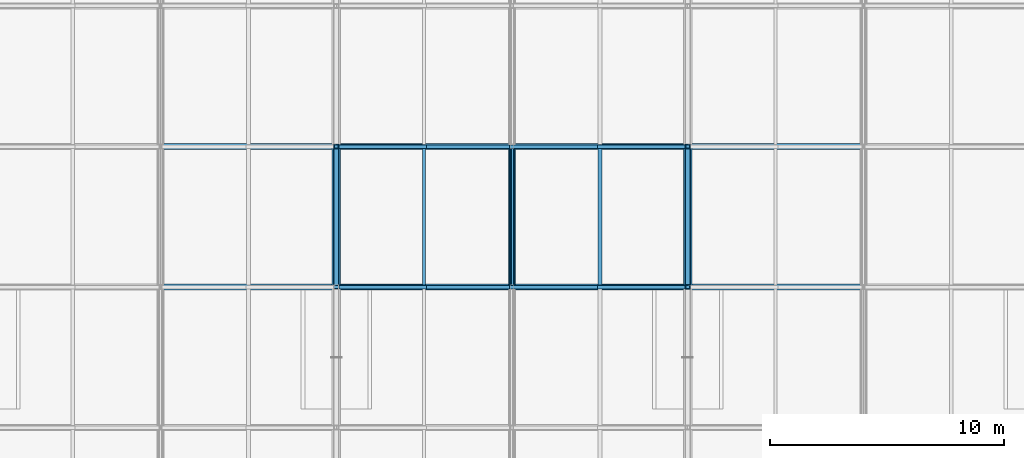
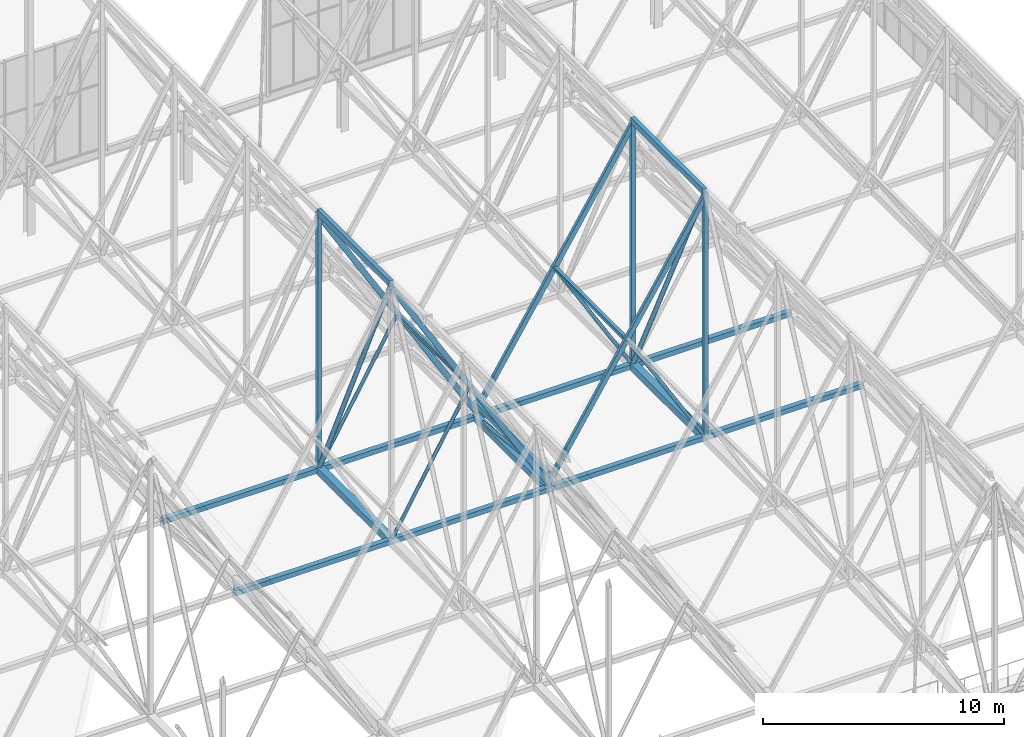
# One storey, part 160 of 324: 28 members, 2 beams.
"""IFC4 building model written with IfcOpenShell, lengths in metres."""

from ifc_helpers import new_model, si_unit, direction, frame, origin, origin_2d, place, context, subcontext, project, spatial, hollow_rectangle, hollow_circle, i_section, extrude, material, material_profile, profile_set, type_object, element, save


model = new_model("IFC4")

# Units and contexts
model_context = context("Model", 3, precision=1e-05, world=origin(), true_north=direction((0.0, 1.0)))
body_context = subcontext(model_context, "Body", "Model", "MODEL_VIEW")
ifc_project = project(units=[si_unit("LENGTHUNIT", "METRE"), si_unit("AREAUNIT", "SQUARE_METRE"), si_unit("VOLUMEUNIT", "CUBIC_METRE"), si_unit("PLANEANGLEUNIT", "RADIAN"), si_unit("MASSUNIT", "GRAM", prefix="KILO")], contexts=[model_context])

# Site, building, storey
site_placement = place(None, origin())
site = spatial("IfcSite", under=ifc_project, at=site_placement, CompositionType="ELEMENT")
building_placement = place(site_placement, origin())
building = spatial("IfcBuilding", under=site, at=building_placement, Name="Solvenia Promenade Tram Depot", CompositionType="ELEMENT")
storey_placement = place(building_placement, frame((0.0, 0.0, 4.5)))
storey = spatial("IfcBuildingStorey", under=building, at=storey_placement, Name="L01", CompositionType="ELEMENT", Elevation=4.5)

# Members
ifc_material_1 = material(Name="Structural steel ASTM A500 Gr. C", Category="steel")
ifc_material_profile_1 = material_profile(ifc_material_1, hollow_circle(Radius=0.109619140625, WallThickness=0.008056640625, at=origin_2d()), Name="CHS219.1x8", Category="steel")
ifc_profile_set_1 = profile_set([ifc_material_profile_1], Name="Structural steel ASTM A500 Gr. C")
member_type_1 = type_object("IfcMemberType", Name="Brace-CHS219x8", PredefinedType="BRACE", material=ifc_profile_set_1)
member_1_placement = place(storey_placement, frame((112.5, 102.0, 2.656005859375), z_axis=(0.0, -0.419298352523, 0.907848495935), x_axis=(1.0, 0.0, 0.0)))
element("IfcMember", 1, at=member_1_placement, inside=storey, type_object=member_type_1, Name="Arched Truss T16 Web Diagonal S06", PredefinedType="BRACE", context=body_context, shape_type="SweptSolid", body=[
    extrude(hollow_circle(Radius=0.109619140625, WallThickness=0.008056640625, at=origin_2d()), origin(), (0.0, 0.0, 1.0), 14.3095703125),
])
member_2_placement = place(storey_placement, frame((127.5, 102.0, 2.656005859375), z_axis=(0.0, -0.436015794582, 0.899939012864), x_axis=(1.0, 0.0, 0.0)))
element("IfcMember", 2, at=member_2_placement, inside=storey, type_object=member_type_1, Name="Arched Truss T18 Web Diagonal S06", PredefinedType="BRACE", context=body_context, shape_type="SweptSolid", body=[
    extrude(hollow_circle(Radius=0.109619140625, WallThickness=0.008056640625, at=origin_2d()), origin(), (0.0, 0.0, 1.0), 13.760986328125),
])
ifc_material_profile_2 = material_profile(ifc_material_1, hollow_rectangle(XDim=0.14990234375, YDim=0.25, WallThickness=0.010009765625, at=origin_2d()), Name="HSS250x150x10", Category="steel")
ifc_profile_set_2 = profile_set([ifc_material_profile_2], Name="Structural steel ASTM A500 Gr. C")
member_type_2 = type_object("IfcMemberType", Name="Chord-HSS250x150x10", PredefinedType="CHORD", material=ifc_profile_set_2)
for number, where, z_axis, x_axis, name in (
    (3, (112.5, 96.0, 15.42724609375), (0.514584433357, 0.0, -0.857439712718), (0.0, 1.0, 0.0), "Zigzag Gable 08 East Upper Rafter"),
    (4, (116.25, 96.0, 9.1787109375), (0.514584433357, 0.0, -0.857439712718), (0.0, 1.0, 0.0), "Zigzag Gable 08 East Lower Rafter"),
    (5, (112.5, 102.0, 15.42724609375), (0.514584433357, 0.0, -0.857439712718), (0.0, 1.0, 0.0), "Zigzag Gable 08 East Upper Rafter"),
    (6, (116.25, 102.0, 9.1787109375), (0.514584433357, 0.0, -0.857439712718), (0.0, 1.0, 0.0), "Zigzag Gable 08 East Lower Rafter"),
):
    element("IfcMember", number, at=place(storey_placement, frame(where, z_axis=z_axis, x_axis=x_axis)), inside=storey, type_object=member_type_2, Name=name, PredefinedType="CHORD", context=body_context, shape_type="SweptSolid", body=[
        extrude(hollow_rectangle(XDim=0.14990234375, YDim=0.25, WallThickness=0.010009765625, at=origin_2d()), origin(), (0.0, 0.0, 1.0), 7.287353515625),
    ])
member_3_placement = place(storey_placement, frame((120.0, 96.0, 2.942626953125), z_axis=(0.533506771487, 0.0, 0.845795793781), x_axis=(0.0, 1.0, 0.0)))
element("IfcMember", 7, at=member_3_placement, inside=storey, type_object=member_type_2, Name="Zigzag Gable 09 West Lower Rafter", PredefinedType="CHORD", context=body_context, shape_type="SweptSolid", body=[
    extrude(hollow_rectangle(XDim=0.14990234375, YDim=0.25, WallThickness=0.010009765625, at=origin_2d()), origin(), (0.0, 0.0, 1.0), 7.029052734375),
])
member_4_placement = place(storey_placement, frame((123.75, 96.0, 8.8876953125), z_axis=(0.533522444929, 0.0, 0.845785907164), x_axis=(0.0, 1.0, 0.0)))
element("IfcMember", 8, at=member_4_placement, inside=storey, type_object=member_type_2, Name="Zigzag Gable 09 West Upper Rafter", PredefinedType="CHORD", context=body_context, shape_type="SweptSolid", body=[
    extrude(hollow_rectangle(XDim=0.14990234375, YDim=0.25, WallThickness=0.010009765625, at=origin_2d()), origin(), (0.0, 0.0, 1.0), 7.02880859375),
])
member_5_placement = place(storey_placement, frame((120.0, 102.0, 2.942626953125), z_axis=(0.533506771487, 0.0, 0.845795793781), x_axis=(0.0, 1.0, 0.0)))
element("IfcMember", 9, at=member_5_placement, inside=storey, type_object=member_type_2, Name="Zigzag Gable 09 West Lower Rafter", PredefinedType="CHORD", context=body_context, shape_type="SweptSolid", body=[
    extrude(hollow_rectangle(XDim=0.14990234375, YDim=0.25, WallThickness=0.010009765625, at=origin_2d()), origin(), (0.0, 0.0, 1.0), 7.029052734375),
])
member_6_placement = place(storey_placement, frame((123.75, 102.0, 8.8876953125), z_axis=(0.533522444929, 0.0, 0.845785907164), x_axis=(0.0, 1.0, 0.0)))
element("IfcMember", 10, at=member_6_placement, inside=storey, type_object=member_type_2, Name="Zigzag Gable 09 West Upper Rafter", PredefinedType="CHORD", context=body_context, shape_type="SweptSolid", body=[
    extrude(hollow_rectangle(XDim=0.14990234375, YDim=0.25, WallThickness=0.010009765625, at=origin_2d()), origin(), (0.0, 0.0, 1.0), 7.02880859375),
])
ifc_material_profile_3 = material_profile(ifc_material_1, hollow_rectangle(XDim=0.25, YDim=0.25, WallThickness=0.010009765625, at=origin_2d()), Name="HSS250x250x10", Category="steel")
ifc_profile_set_3 = profile_set([ifc_material_profile_3], Name="Structural steel ASTM A500 Gr. C")
member_type_3 = type_object("IfcMemberType", Name="Chord-HSS250x250x10", PredefinedType="CHORD", material=ifc_profile_set_3)
member_7_placement = place(storey_placement, frame((120.0, 96.0, 3.3798828125), z_axis=(0.0, 1.0, 0.0), x_axis=(-1.0, 0.0, 0.0)))
element("IfcMember", 11, at=member_7_placement, inside=storey, type_object=member_type_3, Name="Arched Truss T17 Upper Chord S06", PredefinedType="CHORD", context=body_context, shape_type="SweptSolid", body=[
    extrude(hollow_rectangle(XDim=0.25, YDim=0.25, WallThickness=0.010009765625, at=origin_2d()), origin(), (0.0, 0.0, 1.0), 6.0),
])
for number, where, z_axis, x_axis, name in (
    (12, (105.0, 96.0, 2.669921875), (1.0, 0.0, 0.0), (0.0, 1.0, 0.0), "Bottom-Chord Catenary Lateral Tie 068"),
    (13, (105.0, 102.0, 2.656005859375), (1.0, 0.0, 0.0), (0.0, 1.0, 0.0), "Bottom-Chord Catenary Lateral Tie 069"),
    (14, (120.0, 96.0, 2.669921875), (1.0, 0.0, 0.0), (0.0, 1.0, 0.0), "Bottom-Chord Catenary Lateral Tie 077"),
    (15, (120.0, 102.0, 2.656005859375), (1.0, 0.0, 0.0), (0.0, 1.0, 0.0), "Bottom-Chord Catenary Lateral Tie 078"),
):
    element("IfcMember", number, at=place(storey_placement, frame(where, z_axis=z_axis, x_axis=x_axis)), inside=storey, type_object=member_type_3, Name=name, PredefinedType="CHORD", context=body_context, shape_type="SweptSolid", body=[
        extrude(hollow_rectangle(XDim=0.25, YDim=0.25, WallThickness=0.010009765625, at=origin_2d()), origin(), (0.0, 0.0, 1.0), 15.0),
    ])
ifc_material_profile_4 = material_profile(ifc_material_1, hollow_rectangle(XDim=0.199951171875, YDim=0.300048828125, WallThickness=0.012451171875, at=origin_2d()), Name="HSS300x200x12.5", Category="steel")
ifc_profile_set_4 = profile_set([ifc_material_profile_4], Name="Structural steel ASTM A500 Gr. C")
member_type_4 = type_object("IfcMemberType", Name="Chord-HSS300x200x12", PredefinedType="CHORD", material=ifc_profile_set_4)
for number, where, z_axis, x_axis, name in (
    (16, (112.5, 96.0, 15.64697265625), (0.0, 1.0, 0.0), (-1.0, 0.0, 0.0), "Arched Truss T16 Upper Chord S06"),
    (17, (127.5, 96.0, 15.0400390625), (0.0, 1.0, 0.0), (-1.0, 0.0, 0.0), "Arched Truss T18 Upper Chord S06"),
):
    element("IfcMember", number, at=place(storey_placement, frame(where, z_axis=z_axis, x_axis=x_axis)), inside=storey, type_object=member_type_4, Name=name, PredefinedType="CHORD", context=body_context, shape_type="SweptSolid", body=[
        extrude(hollow_rectangle(XDim=0.199951171875, YDim=0.300048828125, WallThickness=0.012451171875, at=origin_2d()), origin(), (0.0, 0.0, 1.0), 6.0),
    ])
ifc_material_profile_5 = material_profile(ifc_material_1, hollow_rectangle(XDim=0.300048828125, YDim=0.300048828125, WallThickness=0.012451171875, at=origin_2d()), Name="HSS300x300x12.5", Category="steel")
ifc_profile_set_5 = profile_set([ifc_material_profile_5], Name="Structural steel ASTM A500 Gr. C")
member_type_5 = type_object("IfcMemberType", Name="Chord-HSS300x300x12", PredefinedType="CHORD", material=ifc_profile_set_5)
member_8_placement = place(storey_placement, frame((120.0, 96.0, 2.669921875), z_axis=(0.0, 0.999997310351, -0.002319329699), x_axis=(-1.0, 0.0, 0.0)))
element("IfcMember", 18, at=member_8_placement, inside=storey, type_object=member_type_5, Name="Arched Truss T17 Bottom Chord S06", PredefinedType="CHORD", context=body_context, shape_type="SweptSolid", body=[
    extrude(hollow_rectangle(XDim=0.300048828125, YDim=0.300048828125, WallThickness=0.012451171875, at=origin_2d()), origin(), (0.0, 0.0, 1.0), 6.0),
])
ifc_material_profile_6 = material_profile(ifc_material_1, hollow_rectangle(XDim=0.35009765625, YDim=0.35009765625, WallThickness=0.01611328125, at=origin_2d()), Name="HSS350x350x16", Category="steel")
ifc_profile_set_6 = profile_set([ifc_material_profile_6], Name="Structural steel ASTM A500 Gr. C")
member_type_6 = type_object("IfcMemberType", Name="Chord-HSS350x350x16", PredefinedType="CHORD", material=ifc_profile_set_6)
for number, where, z_axis, x_axis, name in (
    (19, (112.5, 96.0, 2.669921875), (0.0, 0.999997310351, -0.002319329699), (-1.0, 0.0, 0.0), "Arched Truss T16 Bottom Chord S06"),
    (20, (127.5, 96.0, 2.669921875), (0.0, 0.999997310351, -0.002319329699), (-1.0, 0.0, 0.0), "Arched Truss T18 Bottom Chord S06"),
):
    element("IfcMember", number, at=place(storey_placement, frame(where, z_axis=z_axis, x_axis=x_axis)), inside=storey, type_object=member_type_6, Name=name, PredefinedType="CHORD", context=body_context, shape_type="SweptSolid", body=[
        extrude(hollow_rectangle(XDim=0.35009765625, YDim=0.35009765625, WallThickness=0.01611328125, at=origin_2d()), origin(), (0.0, 0.0, 1.0), 6.0),
    ])
ifc_material_profile_7 = material_profile(ifc_material_1, hollow_rectangle(XDim=0.199951171875, YDim=0.199951171875, WallThickness=0.010009765625, at=origin_2d()), Name="HSS200x200x10", Category="steel")
ifc_profile_set_7 = profile_set([ifc_material_profile_7], Name="Structural steel ASTM A500 Gr. C")
member_type_7 = type_object("IfcMemberType", Name="Post-HSS200x200x10", PredefinedType="POST", material=ifc_profile_set_7)
member_9_placement = place(storey_placement, frame((112.5, 102.0, 2.656005859375), z_axis=(0.0, 0.0, 1.0), x_axis=(1.0, 0.0, 0.0)))
element("IfcMember", 21, at=member_9_placement, inside=storey, type_object=member_type_7, Name="Arched Truss T16 Web Post S06", PredefinedType="POST", context=body_context, shape_type="SweptSolid", body=[
    extrude(hollow_rectangle(XDim=0.199951171875, YDim=0.199951171875, WallThickness=0.010009765625, at=origin_2d()), origin(), (0.0, 0.0, 1.0), 12.990966796875),
])
member_10_placement = place(storey_placement, frame((127.5, 96.0, 2.669921875), z_axis=(0.0, 0.0, 1.0), x_axis=(1.0, 0.0, 0.0)))
element("IfcMember", 22, at=member_10_placement, inside=storey, type_object=member_type_7, Name="Arched Truss T18 Web Post S05", PredefinedType="POST", context=body_context, shape_type="SweptSolid", body=[
    extrude(hollow_rectangle(XDim=0.199951171875, YDim=0.199951171875, WallThickness=0.010009765625, at=origin_2d()), origin(), (0.0, 0.0, 1.0), 12.3701171875),
])
member_11_placement = place(storey_placement, frame((127.5, 102.0, 2.656005859375), z_axis=(0.0, 0.0, 1.0), x_axis=(1.0, 0.0, 0.0)))
element("IfcMember", 23, at=member_11_placement, inside=storey, type_object=member_type_7, Name="Arched Truss T18 Web Post S06", PredefinedType="POST", context=body_context, shape_type="SweptSolid", body=[
    extrude(hollow_rectangle(XDim=0.199951171875, YDim=0.199951171875, WallThickness=0.010009765625, at=origin_2d()), origin(), (0.0, 0.0, 1.0), 12.384033203125),
])

# Beams
ifc_material_2 = material(Name="Structural steel ASTM A992 Gr. 50", Category="steel")
ifc_material_profile_8 = material_profile(ifc_material_2, i_section(OverallWidth=0.133056640625, OverallDepth=0.20703125, WebThickness=0.005859375, FlangeThickness=0.00830078125, FilletRadius=0.009033203125, at=origin_2d()), Name="W200x27", Category="steel")
ifc_profile_set_8 = profile_set([ifc_material_profile_8], Name="Structural steel ASTM A992 Gr. 50")
beam_type_1 = type_object("IfcBeamType", Name="Purlin-W200x27", PredefinedType="USERDEFINED", material=ifc_profile_set_8)
beam_1_placement = place(storey_placement, frame((116.25, 96.0849609375, 9.169677734375), z_axis=(0.0, 1.0, 0.0), x_axis=(-1.0, 0.0, 0.0)))
element("IfcBeam", 24, at=beam_1_placement, inside=storey, type_object=beam_type_1, Name="Gable Roof Purlin E-0152", ObjectType="PURLIN", PredefinedType="USERDEFINED", context=body_context, shape_type="SweptSolid", body=[
    extrude(i_section(OverallWidth=0.133056640625, OverallDepth=0.20703125, WebThickness=0.005859375, FlangeThickness=0.00830078125, FilletRadius=0.009033203125, at=origin_2d()), origin(), (0.0, 0.0, 1.0), 5.830078125),
])
ifc_material_profile_9 = material_profile(ifc_material_2, i_section(OverallWidth=0.1650390625, OverallDepth=0.200927734375, WebThickness=0.006103515625, FlangeThickness=0.01025390625, FilletRadius=0.010009765625, at=origin_2d()), Name="W200x36", Category="steel")
ifc_profile_set_9 = profile_set([ifc_material_profile_9], Name="Structural steel ASTM A992 Gr. 50")
beam_type_2 = type_object("IfcBeamType", Name="Purlin-W200x36", PredefinedType="USERDEFINED", material=ifc_profile_set_9)
beam_2_placement = place(storey_placement, frame((123.75, 96.0849609375, 8.8857421875), z_axis=(0.0, 1.0, 0.0), x_axis=(-1.0, 0.0, 0.0)))
element("IfcBeam", 25, at=beam_2_placement, inside=storey, type_object=beam_type_2, Name="Gable Roof Purlin W-0171", ObjectType="PURLIN", PredefinedType="USERDEFINED", context=body_context, shape_type="SweptSolid", body=[
    extrude(i_section(OverallWidth=0.1650390625, OverallDepth=0.200927734375, WebThickness=0.006103515625, FlangeThickness=0.01025390625, FilletRadius=0.010009765625, at=origin_2d()), origin(), (0.0, 0.0, 1.0), 5.830078125),
])

# Members
ifc_material_profile_10 = material_profile(ifc_material_1, hollow_circle(Radius=0.084228515625, WallThickness=0.008056640625, at=origin_2d()), Name="CHS168.3x8", Category="steel")
ifc_profile_set_10 = profile_set([ifc_material_profile_10], Name="Structural steel ASTM A500 Gr. C")
member_type_8 = type_object("IfcMemberType", Name="WebDiag-CHS168x8", PredefinedType="BRACE", material=ifc_profile_set_10)
member_12_placement = place(storey_placement, frame((120.0, 102.0, 2.656005859375), z_axis=(0.0, -0.992800749036, 0.119777596879), x_axis=(1.0, 0.0, 0.0)))
element("IfcMember", 26, at=member_12_placement, inside=storey, type_object=member_type_8, Name="Arched Truss T17 Web Diagonal S06", PredefinedType="BRACE", context=body_context, shape_type="SweptSolid", body=[
    extrude(hollow_circle(Radius=0.084228515625, WallThickness=0.008056640625, at=origin_2d()), origin(), (0.0, 0.0, 1.0), 6.04345703125),
])
member_13_placement = place(storey_placement, frame((112.5, 96.0, 2.669921875), z_axis=(0.499215914633, 0.0, 0.866477622664), x_axis=(0.0, 1.0, 0.0)))
element("IfcMember", 27, at=member_13_placement, inside=storey, type_object=member_type_8, Name="Zigzag Gable 08 East Knee Strut", PredefinedType="BRACE", context=body_context, shape_type="SweptSolid", body=[
    extrude(hollow_circle(Radius=0.084228515625, WallThickness=0.008056640625, at=origin_2d()), origin(), (0.0, 0.0, 1.0), 7.51171875),
])
member_14_placement = place(storey_placement, frame((112.5, 102.0, 2.656005859375), z_axis=(0.498415644551, 0.0, 0.866938201527), x_axis=(0.0, 1.0, 0.0)))
element("IfcMember", 28, at=member_14_placement, inside=storey, type_object=member_type_8, Name="Zigzag Gable 08 East Knee Strut", PredefinedType="BRACE", context=body_context, shape_type="SweptSolid", body=[
    extrude(hollow_circle(Radius=0.084228515625, WallThickness=0.008056640625, at=origin_2d()), origin(), (0.0, 0.0, 1.0), 7.52392578125),
])
member_15_placement = place(storey_placement, frame((127.5, 96.0, 2.669921875), z_axis=(-0.516452471472, 0.0, 0.856315855693), x_axis=(0.0, -1.0, 0.0)))
element("IfcMember", 29, at=member_15_placement, inside=storey, type_object=member_type_8, Name="Zigzag Gable 09 West Knee Strut", PredefinedType="BRACE", context=body_context, shape_type="SweptSolid", body=[
    extrude(hollow_circle(Radius=0.084228515625, WallThickness=0.008056640625, at=origin_2d()), origin(), (0.0, 0.0, 1.0), 7.260986328125),
])
member_16_placement = place(storey_placement, frame((127.5, 102.0, 2.656005859375), z_axis=(-0.515606033045, 0.0, 0.856825780826), x_axis=(0.0, -1.0, 0.0)))
element("IfcMember", 30, at=member_16_placement, inside=storey, type_object=member_type_8, Name="Zigzag Gable 09 West Knee Strut", PredefinedType="BRACE", context=body_context, shape_type="SweptSolid", body=[
    extrude(hollow_circle(Radius=0.084228515625, WallThickness=0.008056640625, at=origin_2d()), origin(), (0.0, 0.0, 1.0), 7.27294921875),
])

save(model, "model.ifc")
